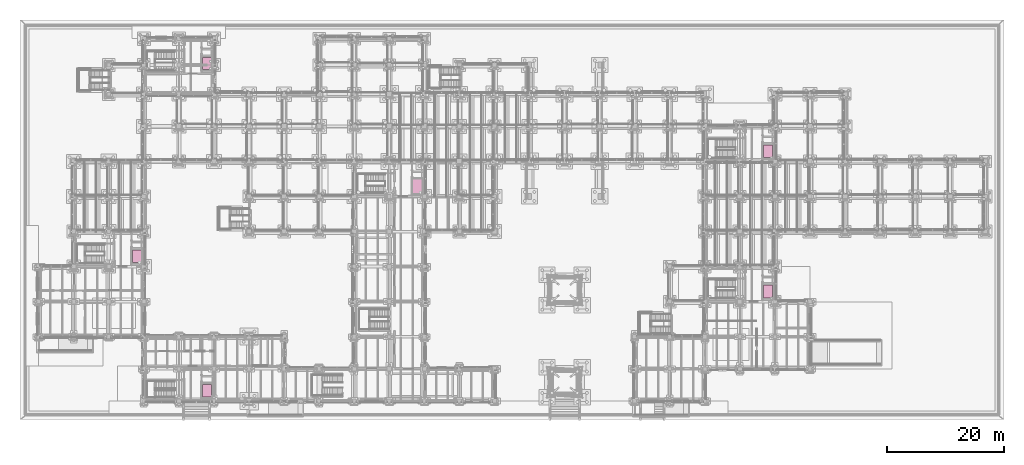
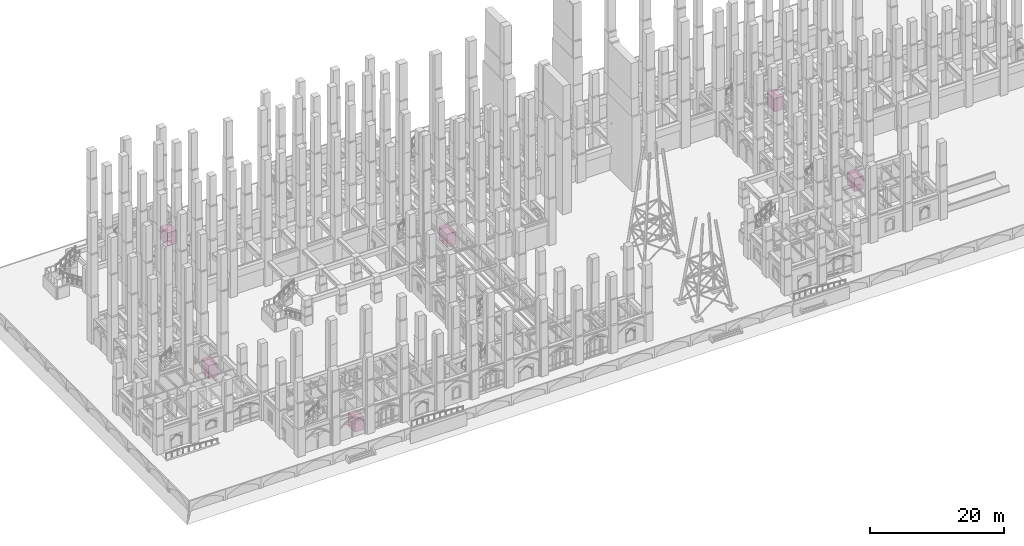
# One storey, part 135 of 135: 6 transport elements.
"""IFC4 building model written with IfcOpenShell, lengths in metres."""

from ifc_helpers import new_model, si_unit, direction, frame, origin, origin_2d, place, context, subcontext, project, spatial, rectangle, extrude, material, type_object, element, save


model = new_model("IFC4")

# Units and contexts
model_context = context("Model", 3, precision=1e-05, world=origin(), true_north=direction((0.0, 1.0)))
body_context = subcontext(model_context, "Body", "Model", "MODEL_VIEW")
ifc_project = project(units=[si_unit("LENGTHUNIT", "METRE"), si_unit("AREAUNIT", "SQUARE_METRE"), si_unit("VOLUMEUNIT", "CUBIC_METRE"), si_unit("PLANEANGLEUNIT", "RADIAN"), si_unit("MASSUNIT", "GRAM", prefix="KILO")], contexts=[model_context])

# Site, building, storey
site_placement = place(None, origin())
site = spatial("IfcSite", under=ifc_project, at=site_placement, CompositionType="ELEMENT")
building_placement = place(site_placement, origin())
building = spatial("IfcBuilding", under=site, at=building_placement, Name="Cumevento Cable Car Station", CompositionType="ELEMENT")
storey_placement = place(building_placement, origin())
storey = spatial("IfcBuildingStorey", under=building, at=storey_placement, Name="L01", CompositionType="ELEMENT", Elevation=0.0)

# Transport elements
ifc_material_1 = material(Name="Stainless Steel Lift Cabin Assembly", Category="steel")
transport_element_type_1 = type_object("IfcTransportElementType", Name="Elevator Car LFT-FF 1560x2400", PredefinedType="ELEVATOR", material=ifc_material_1)
transport_element_placement = place(storey_placement, frame((68.7900390625, 40.75, 0.0), z_axis=(0.0, 0.0, 1.0), x_axis=(1.0, 0.0, 0.0)))
element("IfcTransportElement", 1, at=transport_element_placement, inside=storey, type_object=transport_element_type_1, Name="Elevator LF-01 Car", PredefinedType="ELEVATOR", context=body_context, shape_type="SweptSolid", body=[
    extrude(rectangle(XDim=1.56005859375, YDim=2.39990234375, at=origin_2d()), origin(), (0.0, 0.0, 1.0), 2.39990234375),
])
ifc_material_2 = material(Name="Stainless Steel Lift Cabin Assembly", Category="steel")
transport_element_type_2 = type_object("IfcTransportElementType", Name="Elevator Car LFT-PAX 1540x2100", PredefinedType="ELEVATOR", material=ifc_material_2)
for number, where, z_axis, x_axis, name in (
    (2, (32.7900390625, 5.75, 0.0), (0.0, 0.0, 1.0), (1.0, 0.0, 0.0), "Elevator LF-02 Car"),
    (3, (20.7900390625, 28.75, 0.0), (0.0, 0.0, 1.0), (1.0, 0.0, 0.0), "Elevator LF-03 Car"),
    (4, (32.7900390625, 61.75, 0.0), (0.0, 0.0, 1.0), (1.0, 0.0, 0.0), "Elevator LF-04 Car"),
):
    element("IfcTransportElement", number, at=place(storey_placement, frame(where, z_axis=z_axis, x_axis=x_axis)), inside=storey, type_object=transport_element_type_2, Name=name, PredefinedType="ELEVATOR", context=body_context, shape_type="SweptSolid", body=[
        extrude(rectangle(XDim=1.5400390625, YDim=2.10009765625, at=origin_2d()), origin(), (0.0, 0.0, 1.0), 2.39990234375),
    ])
ifc_material_3 = material(Name="Stainless Steel Lift Cabin Assembly", Category="steel")
transport_element_type_3 = type_object("IfcTransportElementType", Name="Elevator Car LFT-SVC 1540x2200", PredefinedType="ELEVATOR", material=ifc_material_3)
for number, where, z_axis, x_axis, name in (
    (5, (128.7900390625, 22.75, 0.0), (0.0, 0.0, 1.0), (1.0, 0.0, 0.0), "Elevator LF-05 Car"),
    (6, (128.7900390625, 46.75, 0.0), (0.0, 0.0, 1.0), (1.0, 0.0, 0.0), "Elevator LF-06 Car"),
):
    element("IfcTransportElement", number, at=place(storey_placement, frame(where, z_axis=z_axis, x_axis=x_axis)), inside=storey, type_object=transport_element_type_3, Name=name, PredefinedType="ELEVATOR", context=body_context, shape_type="SweptSolid", body=[
        extrude(rectangle(XDim=1.5400390625, YDim=2.199951171875, at=origin_2d()), origin(), (0.0, 0.0, 1.0), 2.39990234375),
    ])

save(model, "model.ifc")
